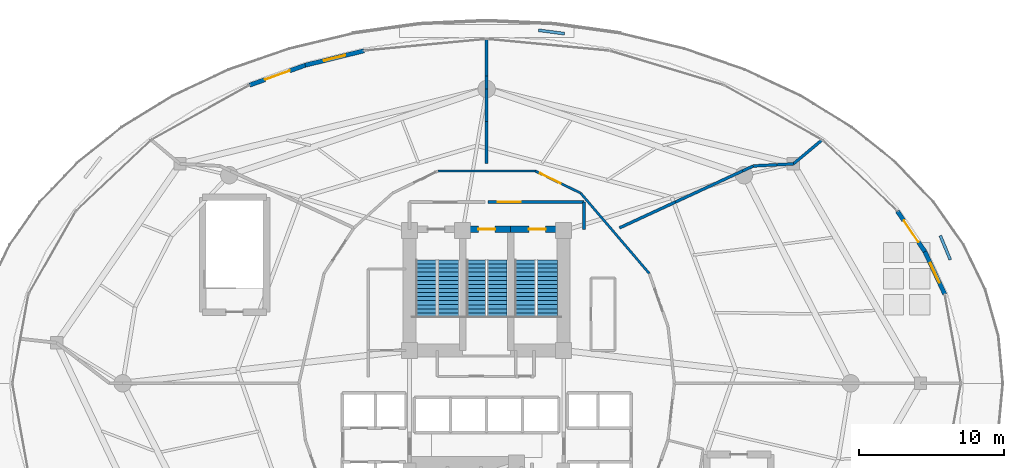
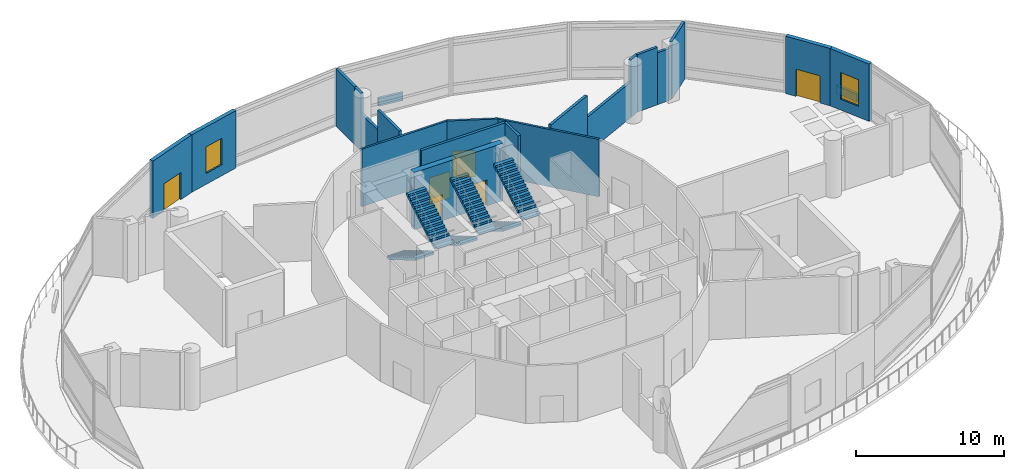
# One storey, part 29 of 34: 23 walls, 6 doors, 6 stair flights, 2 windows, 8 openings, 3 elements without a shape of their own.
"""IFC4 building model written with IfcOpenShell, lengths in metres."""

from ifc_helpers import new_model, si_unit, direction, frame, frame_2d, origin, place, context, subcontext, project, spatial, polyline, rectangle, outline, extrude, material, layer, layer_set, type_object, element, fill, aggregate, save


model = new_model("IFC4")

# Units and contexts
model_context = context("Model", 3, precision=1e-05, world=origin(), true_north=direction((0.0, 1.0)))
body_context = subcontext(model_context, "Body", "Model", "MODEL_VIEW")
ifc_project = project(units=[si_unit("LENGTHUNIT", "METRE"), si_unit("AREAUNIT", "SQUARE_METRE"), si_unit("VOLUMEUNIT", "CUBIC_METRE"), si_unit("PLANEANGLEUNIT", "RADIAN"), si_unit("MASSUNIT", "GRAM", prefix="KILO")], contexts=[model_context])

# Site, building, storey
site_placement = place(None, origin())
site = spatial("IfcSite", under=ifc_project, at=site_placement, CompositionType="ELEMENT")
building_placement = place(site_placement, origin())
building = spatial("IfcBuilding", under=site, at=building_placement, Name="Nuhasar Tower", CompositionType="ELEMENT")
storey_placement = place(building_placement, frame((0.0, 0.0, 16.0)))
storey = spatial("IfcBuildingStorey", under=building, at=storey_placement, Name="L03", CompositionType="ELEMENT", Elevation=16.0)

# Wall, opening, window
ifc_material_1 = material(Name="Concrete C45/55", Category="concrete")
ifc_layer_1 = layer(ifc_material_1, 0.239990234375)
ifc_material_2 = material(Name="Limestone Ashlar", Category="masonry")
ifc_layer_2 = layer(ifc_material_2, 0.06005859375)
ifc_layer_set_1 = layer_set([ifc_layer_1, ifc_layer_2], Name="Concrete C45/55")
wall_type_1 = type_object("IfcWallType", Name="WL-ARC-300", PredefinedType="STANDARD", material=ifc_layer_set_1)
wall_1_placement = place(storey_placement, frame((69.155029296875, 35.865966796875, 0.0), z_axis=(0.0, 0.0, 1.0), x_axis=(0.423734962383, -0.905786222932, 0.0)))
wall_1 = element("IfcWall", 1, at=wall_1_placement, inside=storey, type_object=wall_type_1, Name="L03 Limestone Arcade Spandrel Pier 02-1", PredefinedType="STANDARD", context=body_context, shape_type="SweptSolid", body=[
    extrude(rectangle(XDim=3.240234375, YDim=0.300048828125, at=frame_2d((1.6201171875, 0.0))), origin(), (0.0, 0.0, 1.0), 4.739990234375),
])
opening_1_placement = place(wall_1_placement, frame((0.8701171875, 0.0, 0.89990234375)))
opening_1 = element("IfcOpeningElement", 2, at=opening_1_placement, cuts=wall_1, Name="Opening WX-02", PredefinedType="OPENING", context=body_context, shape_type="SweptSolid", body=[
    extrude(rectangle(XDim=1.5, YDim=2.199951171875, at=frame_2d((0.75, 1.10009765625))), frame((0.0, 0.16015625, 0.0), z_axis=(0.0, -1.0, 0.0), x_axis=(1.0, 0.0, 0.0)), (0.0, 0.0, 1.0), 0.320068359375),
])
ifc_material_3 = material(Name="Glass Double Low-E", Category="glass")
window_type = type_object("IfcWindowType", Name="WIN-ARC-1500", PartitioningType="DOUBLE_PANEL_VERTICAL", PredefinedType="WINDOW", material=ifc_material_3)
window_1_placement = place(opening_1_placement, origin())
window_1 = element("IfcWindow", 3, at=window_1_placement, inside=storey, type_object=window_type, Name="L03 Arcade Vision Window 02", OverallHeight=2.199951171875, OverallWidth=1.5, PartitioningType="DOUBLE_PANEL_VERTICAL", PredefinedType="WINDOW", context=body_context, shape_type="SweptSolid", body=[
    extrude(rectangle(XDim=1.5, YDim=2.199951171875, at=frame_2d((0.75, 1.10009765625))), frame((0.0, 0.030029296875, 0.0), z_axis=(0.0, -1.0, 0.0), x_axis=(1.0, 0.0, 0.0)), (0.0, 0.0, 1.0), 0.06005859375),
])
fill(opening_1, window_1)

# Wall, opening, door
wall_2_placement = place(storey_placement, frame((67.26708984375, 38.64501953125, 0.0), z_axis=(0.0, 0.0, 1.0), x_axis=(0.56194026568, -0.827177815108, 0.0)))
wall_2 = element("IfcWall", 4, at=wall_2_placement, inside=storey, type_object=wall_type_1, Name="L03 Limestone Arcade Spandrel Pier 02-2", PredefinedType="STANDARD", context=body_context, shape_type="SweptSolid", body=[
    extrude(rectangle(XDim=3.359619140625, YDim=0.300048828125, at=frame_2d((1.6796875, 0.0))), origin(), (0.0, 0.0, 1.0), 4.739990234375),
])
opening_2_placement = place(wall_2_placement, frame((0.780029296875, 0.0, 0.0)))
opening_2 = element("IfcOpeningElement", 5, at=opening_2_placement, cuts=wall_2, Name="Opening DX-02", PredefinedType="OPENING", context=body_context, shape_type="SweptSolid", body=[
    extrude(rectangle(XDim=1.800048828125, YDim=2.25, at=frame_2d((0.89990234375, 1.125))), frame((0.0, 0.16015625, 0.0), z_axis=(0.0, -1.0, 0.0), x_axis=(1.0, 0.0, 0.0)), (0.0, 0.0, 1.0), 0.320068359375),
])
ifc_material_4 = material(Name="Aluminium 6063-T6", Category="aluminium")
door_type_1 = type_object("IfcDoorType", Name="DR-TERR-1800", OperationType="DOUBLE_DOOR_SINGLE_SWING", PredefinedType="DOOR", material=ifc_material_4)
door_1_placement = place(opening_2_placement, origin())
door_1 = element("IfcDoor", 6, at=door_1_placement, inside=storey, type_object=door_type_1, Name="L03 Bustan Terrace Door 02", OperationType="DOUBLE_DOOR_SINGLE_SWING", OverallHeight=2.25, OverallWidth=1.800048828125, PredefinedType="DOOR", context=body_context, shape_type="SweptSolid", body=[
    extrude(rectangle(XDim=1.800048828125, YDim=2.25, at=frame_2d((0.89990234375, 1.125))), frame((0.0, 0.02490234375, 0.0), z_axis=(0.0, -1.0, 0.0), x_axis=(1.0, 0.0, 0.0)), (0.0, 0.0, 1.0), 0.050048828125),
])
fill(opening_2, door_1)

# Wall, opening, window
wall_3_placement = place(storey_placement, frame((26.509033203125, 48.68701171875, 0.0), z_axis=(0.0, 0.0, 1.0), x_axis=(0.970964611728, 0.239223165208, 0.0)))
wall_3 = element("IfcWall", 7, at=wall_3_placement, inside=storey, type_object=wall_type_1, Name="L03 Limestone Arcade Spandrel Pier 08-1", PredefinedType="STANDARD", context=body_context, shape_type="SweptSolid", body=[
    extrude(rectangle(XDim=4.163818359375, YDim=0.300048828125, at=frame_2d((2.08203125, 0.0))), origin(), (0.0, 0.0, 1.0), 4.739990234375),
])
opening_3_placement = place(wall_3_placement, frame((1.33203125, 0.0, 0.89990234375)))
opening_3 = element("IfcOpeningElement", 8, at=opening_3_placement, cuts=wall_3, Name="Opening WX-02", PredefinedType="OPENING", context=body_context, shape_type="SweptSolid", body=[
    extrude(rectangle(XDim=1.5, YDim=2.199951171875, at=frame_2d((0.75, 1.10009765625))), frame((0.0, 0.16015625, 0.0), z_axis=(0.0, -1.0, 0.0), x_axis=(1.0, 0.0, 0.0)), (0.0, 0.0, 1.0), 0.320068359375),
])
window_2_placement = place(opening_3_placement, origin())
window_2 = element("IfcWindow", 9, at=window_2_placement, inside=storey, type_object=window_type, Name="L03 Arcade Vision Window 08", OverallHeight=2.199951171875, OverallWidth=1.5, PartitioningType="DOUBLE_PANEL_VERTICAL", PredefinedType="WINDOW", context=body_context, shape_type="SweptSolid", body=[
    extrude(rectangle(XDim=1.5, YDim=2.199951171875, at=frame_2d((0.75, 1.10009765625))), frame((0.0, 0.030029296875, 0.0), z_axis=(0.0, -1.0, 0.0), x_axis=(1.0, 0.0, 0.0)), (0.0, 0.0, 1.0), 0.06005859375),
])
fill(opening_3, window_2)

# Wall, opening, door
wall_4_placement = place(storey_placement, frame((22.679931640625, 47.31591796875, 0.0), z_axis=(0.0, 0.0, 1.0), x_axis=(0.941464544091, 0.337112017318, 0.0)))
wall_4 = element("IfcWall", 10, at=wall_4_placement, inside=storey, type_object=wall_type_1, Name="L03 Limestone Arcade Spandrel Pier 08-2", PredefinedType="STANDARD", context=body_context, shape_type="SweptSolid", body=[
    extrude(rectangle(XDim=4.067138671875, YDim=0.300048828125, at=frame_2d((2.03369140625, 0.0))), origin(), (0.0, 0.0, 1.0), 4.739990234375),
])
opening_4_placement = place(wall_4_placement, frame((1.134033203125, 0.0, 0.0)))
opening_4 = element("IfcOpeningElement", 11, at=opening_4_placement, cuts=wall_4, Name="Opening DX-02", PredefinedType="OPENING", context=body_context, shape_type="SweptSolid", body=[
    extrude(rectangle(XDim=1.800048828125, YDim=2.25, at=frame_2d((0.89990234375, 1.125))), frame((0.0, 0.16015625, 0.0), z_axis=(0.0, -1.0, 0.0), x_axis=(1.0, 0.0, 0.0)), (0.0, 0.0, 1.0), 0.320068359375),
])
door_2_placement = place(opening_4_placement, origin())
door_2 = element("IfcDoor", 12, at=door_2_placement, inside=storey, type_object=door_type_1, Name="L03 Bustan Terrace Door 08", OperationType="DOUBLE_DOOR_SINGLE_SWING", OverallHeight=2.25, OverallWidth=1.800048828125, PredefinedType="DOOR", context=body_context, shape_type="SweptSolid", body=[
    extrude(rectangle(XDim=1.800048828125, YDim=2.25, at=frame_2d((0.89990234375, 1.125))), frame((0.0, 0.02490234375, 0.0), z_axis=(0.0, -1.0, 0.0), x_axis=(1.0, 0.0, 0.0)), (0.0, 0.0, 1.0), 0.050048828125),
])
fill(opening_4, door_2)

ifc_material_5 = material(Name="Concrete C50/60", Category="concrete")
ifc_layer_3 = layer(ifc_material_5, 0.449951171875)
ifc_layer_set_2 = layer_set([ifc_layer_3], Name="Concrete C50/60")
wall_type_2 = type_object("IfcWallType", Name="WL-CORE-450", PredefinedType="SHEAR", material=ifc_layer_set_2)
wall_5_placement = place(storey_placement, frame((40.64990234375, 37.39990234375, 0.0), z_axis=(0.0, 0.0, 1.0), x_axis=(-1.0, 0.0, 0.0)))
wall_5 = element("IfcWall", 13, at=wall_5_placement, inside=storey, type_object=wall_type_2, Name="L03 Stairwell Shear Wall ST03-N", PredefinedType="SHEAR", context=body_context, shape_type="SweptSolid", body=[
    extrude(rectangle(XDim=3.2998046875, YDim=0.449951171875, at=frame_2d((1.64990234375, 0.0))), origin(), (0.0, 0.0, 1.0), 4.739990234375),
])
opening_5_placement = place(wall_5_placement, frame((1.074951171875, 0.0, 0.0)))
opening_5 = element("IfcOpeningElement", 14, at=opening_5_placement, cuts=wall_5, Name="Opening DS-01", PredefinedType="OPENING", context=body_context, shape_type="SweptSolid", body=[
    extrude(rectangle(XDim=1.14990234375, YDim=2.14990234375, at=frame_2d((0.574951171875, 1.074951171875))), frame((0.0, 0.23486328125, 0.0), z_axis=(0.0, -1.0, 0.0), x_axis=(1.0, 0.0, 0.0)), (0.0, 0.0, 1.0), 0.469970703125),
])
ifc_material_6 = material(Name="Steel S355", Category="steel")
door_type_2 = type_object("IfcDoorType", Name="DR-STAIR-FD120-1150", OperationType="NOTDEFINED", PredefinedType="DOOR", material=ifc_material_6)
door_3_placement = place(opening_5_placement, origin())
door_3 = element("IfcDoor", 15, at=door_3_placement, inside=storey, type_object=door_type_2, Name="L03 Exit Stair ST-03 Door", OperationType="SINGLE_SWING_RIGHT", OverallHeight=2.14990234375, OverallWidth=1.14990234375, PredefinedType="DOOR", context=body_context, shape_type="SweptSolid", body=[
    extrude(rectangle(XDim=1.14990234375, YDim=2.14990234375, at=frame_2d((0.574951171875, 1.074951171875))), frame((0.0, 0.02490234375, 0.0), z_axis=(0.0, -1.0, 0.0), x_axis=(1.0, 0.0, 0.0)), (0.0, 0.0, 1.0), 0.050048828125),
])
fill(opening_5, door_3)

wall_6_placement = place(storey_placement, frame((44.300048828125, 37.39990234375, 0.0), z_axis=(0.0, 0.0, 1.0), x_axis=(-1.0, 0.0, 0.0)))
wall_6 = element("IfcWall", 16, at=wall_6_placement, inside=storey, type_object=wall_type_2, Name="L03 Stairwell Shear Wall ST02-N", PredefinedType="SHEAR", context=body_context, shape_type="SweptSolid", body=[
    extrude(rectangle(XDim=3.650146484375, YDim=0.449951171875, at=frame_2d((1.8251953125, 0.0))), origin(), (0.0, 0.0, 1.0), 4.739990234375),
])
opening_6_placement = place(wall_6_placement, frame((1.25, 0.0, 0.0)))
opening_6 = element("IfcOpeningElement", 17, at=opening_6_placement, cuts=wall_6, Name="Opening DS-01", PredefinedType="OPENING", context=body_context, shape_type="SweptSolid", body=[
    extrude(rectangle(XDim=1.14990234375, YDim=2.14990234375, at=frame_2d((0.574951171875, 1.074951171875))), frame((0.0, 0.23486328125, 0.0), z_axis=(0.0, -1.0, 0.0), x_axis=(1.0, 0.0, 0.0)), (0.0, 0.0, 1.0), 0.469970703125),
])
door_4_placement = place(opening_6_placement, origin())
door_4 = element("IfcDoor", 18, at=door_4_placement, inside=storey, type_object=door_type_2, Name="L03 Exit Stair ST-02 Door", OperationType="SINGLE_SWING_LEFT", OverallHeight=2.14990234375, OverallWidth=1.14990234375, PredefinedType="DOOR", context=body_context, shape_type="SweptSolid", body=[
    extrude(rectangle(XDim=1.14990234375, YDim=2.14990234375, at=frame_2d((0.574951171875, 1.074951171875))), frame((0.0, 0.02490234375, 0.0), z_axis=(0.0, -1.0, 0.0), x_axis=(1.0, 0.0, 0.0)), (0.0, 0.0, 1.0), 0.050048828125),
])
fill(opening_6, door_4)

# Wall
ifc_material_7 = material(Name="Gypsum Board", Category="gypsum")
ifc_layer_4 = layer(ifc_material_7, 0.159912109375)
ifc_layer_set_3 = layer_set([ifc_layer_4], Name="Gypsum Board")
wall_type_3 = type_object("IfcWallType", Name="WL-CORR-160", PredefinedType="PARTITIONING", material=ifc_layer_set_3)
wall_7_placement = place(storey_placement, frame((50.18896484375, 34.360107421875, 0.0), z_axis=(0.0, 0.0, 1.0), x_axis=(-0.649652680018, 0.760231145998, 0.0)))
element("IfcWall", 19, at=wall_7_placement, inside=storey, type_object=wall_type_3, Name="L03 Interior Partition CORR-04", PredefinedType="PARTITIONING", context=body_context, shape_type="SweptSolid", body=[
    extrude(rectangle(XDim=7.279296875, YDim=0.159912109375, at=frame_2d((3.6396484375, 0.0))), origin(), (0.0, 0.0, 1.0), 4.739990234375),
])

# Wall, opening, door
wall_8_placement = place(storey_placement, frame((42.343994140625, 41.405029296875, 0.0), z_axis=(0.0, 0.0, 1.0), x_axis=(0.899789784655, -0.436323668199, 0.0)))
wall_8 = element("IfcWall", 20, at=wall_8_placement, inside=storey, type_object=wall_type_3, Name="L03 Interior Partition CORR-08", PredefinedType="PARTITIONING", context=body_context, shape_type="SweptSolid", body=[
    extrude(rectangle(XDim=3.462890625, YDim=0.159912109375, at=frame_2d((1.7314453125, 0.0))), origin(), (0.0, 0.0, 1.0), 4.739990234375),
])
opening_7_placement = place(wall_8_placement, frame((0.35107421875, 0.0, 0.0)))
opening_7 = element("IfcOpeningElement", 21, at=opening_7_placement, cuts=wall_8, Name="Opening DC-01", PredefinedType="OPENING", context=body_context, shape_type="SweptSolid", body=[
    extrude(rectangle(XDim=1.60009765625, YDim=2.199951171875, at=frame_2d((0.800048828125, 1.10009765625))), frame((0.0, 0.08984375, 0.0), z_axis=(0.0, -1.0, 0.0), x_axis=(1.0, 0.0, 0.0)), (0.0, 0.0, 1.0), 0.179931640625),
])
door_type_3 = type_object("IfcDoorType", Name="DR-CORR-FD60-1600", OperationType="DOUBLE_DOOR_SINGLE_SWING", PredefinedType="DOOR", material=ifc_material_6)
door_5_placement = place(opening_7_placement, origin())
door_5 = element("IfcDoor", 22, at=door_5_placement, inside=storey, type_object=door_type_3, Name="L03 Thermal Hammam Suite Door", OperationType="DOUBLE_DOOR_SINGLE_SWING", OverallHeight=2.199951171875, OverallWidth=1.60009765625, PredefinedType="DOOR", context=body_context, shape_type="SweptSolid", body=[
    extrude(rectangle(XDim=1.60009765625, YDim=2.199951171875, at=frame_2d((0.800048828125, 1.10009765625))), frame((0.0, 0.02490234375, 0.0), z_axis=(0.0, -1.0, 0.0), x_axis=(1.0, 0.0, 0.0)), (0.0, 0.0, 1.0), 0.050048828125),
])
fill(opening_7, door_5)

# Walls
wall_9_placement = place(storey_placement, frame((42.343994140625, 41.405029296875, 0.0), z_axis=(0.0, 0.0, 1.0), x_axis=(-1.0, 0.0, 0.0)))
element("IfcWall", 23, at=wall_9_placement, inside=storey, type_object=wall_type_3, Name="L03 Interior Partition CORR-10", PredefinedType="PARTITIONING", context=body_context, shape_type="SweptSolid", body=[
    extrude(rectangle(XDim=6.68798828125, YDim=0.159912109375, at=frame_2d((3.343994140625, 0.0))), origin(), (0.0, 0.0, 1.0), 4.739990234375),
])
ifc_layer_5 = layer(ifc_material_1, 0.199951171875)
ifc_layer_set_4 = layer_set([ifc_layer_5], Name="Concrete C45/55")
wall_type_4 = type_object("IfcWallType", Name="WL-LOBBY-200", PredefinedType="SOLIDWALL", material=ifc_layer_set_4)
wall_10_placement = place(storey_placement, frame((45.699951171875, 37.39990234375, 0.0), z_axis=(0.0, 0.0, 1.0), x_axis=(0.0, 1.0, 0.0)))
element("IfcWall", 24, at=wall_10_placement, inside=storey, type_object=wall_type_4, Name="L03 Interior Partition NSL-E", PredefinedType="SOLIDWALL", context=body_context, shape_type="SweptSolid", body=[
    extrude(rectangle(XDim=1.880126953125, YDim=0.199951171875, at=frame_2d((0.93994140625, 0.0))), origin(), (0.0, 0.0, 1.0), 4.739990234375),
])

# Wall, opening, door
wall_11_placement = place(storey_placement, frame((45.699951171875, 39.280029296875, 0.0), z_axis=(0.0, 0.0, 1.0), x_axis=(-1.0, 0.0, 0.0)))
wall_11 = element("IfcWall", 25, at=wall_11_placement, inside=storey, type_object=wall_type_4, Name="L03 Interior Partition NSL-N2", PredefinedType="SOLIDWALL", context=body_context, shape_type="SweptSolid", body=[
    extrude(rectangle(XDim=6.599853515625, YDim=0.199951171875, at=frame_2d((3.2998046875, 0.0))), origin(), (0.0, 0.0, 1.0), 4.739990234375),
])
opening_8_placement = place(wall_11_placement, frame((4.35009765625, 0.0, 0.0)))
opening_8 = element("IfcOpeningElement", 26, at=opening_8_placement, cuts=wall_11, Name="Opening DC-01", PredefinedType="OPENING", context=body_context, shape_type="SweptSolid", body=[
    extrude(rectangle(XDim=1.60009765625, YDim=2.199951171875, at=frame_2d((0.800048828125, 1.10009765625))), frame((0.0, 0.10986328125, 0.0), z_axis=(0.0, -1.0, 0.0), x_axis=(1.0, 0.0, 0.0)), (0.0, 0.0, 1.0), 0.219970703125),
])
door_6_placement = place(opening_8_placement, origin())
door_6 = element("IfcDoor", 27, at=door_6_placement, inside=storey, type_object=door_type_3, Name="L03 North Stair Lobby East Door", OperationType="DOUBLE_DOOR_SINGLE_SWING", OverallHeight=2.199951171875, OverallWidth=1.60009765625, PredefinedType="DOOR", context=body_context, shape_type="SweptSolid", body=[
    extrude(rectangle(XDim=1.60009765625, YDim=2.199951171875, at=frame_2d((0.800048828125, 1.10009765625))), frame((0.0, 0.02490234375, 0.0), z_axis=(0.0, -1.0, 0.0), x_axis=(1.0, 0.0, 0.0)), (0.0, 0.0, 1.0), 0.050048828125),
])
fill(opening_8, door_6)

# Walls
ifc_layer_6 = layer(ifc_material_1, 0.199951171875)
ifc_layer_set_5 = layer_set([ifc_layer_6], Name="Concrete C45/55")
wall_type_5 = type_object("IfcWallType", Name="WL-PLANTER-200", PredefinedType="ELEMENTEDWALL", material=ifc_layer_set_5)
wall_12_placement = place(storey_placement, frame((70.215087890625, 36.962890625, 0.0), z_axis=(0.0, 0.0, 1.0), x_axis=(0.382775058439, -0.923841574425, 0.0)))
element("IfcWall", 28, at=wall_12_placement, inside=storey, type_object=wall_type_5, Name="L03 Bustan Garden Planter Curb 01", PredefinedType="ELEMENTEDWALL", context=body_context, shape_type="SweptSolid", body=[
    extrude(rectangle(XDim=1.7998046875, YDim=0.199951171875, at=frame_2d((0.89990234375, 0.0))), origin(), (0.0, 0.0, 1.0), 0.64990234375),
])
wall_13_placement = place(storey_placement, frame((42.56591796875, 51.093994140625, 0.0), z_axis=(0.0, 0.0, 1.0), x_axis=(0.991438597149, -0.130573764914, 0.0)))
element("IfcWall", 29, at=wall_13_placement, inside=storey, type_object=wall_type_5, Name="L03 Bustan Garden Planter Curb 02", PredefinedType="ELEMENTEDWALL", context=body_context, shape_type="SweptSolid", body=[
    extrude(rectangle(XDim=1.800537109375, YDim=0.199951171875, at=frame_2d((0.900390625, 0.0))), origin(), (0.0, 0.0, 1.0), 0.64990234375),
])
ifc_material_8 = material(Name="Concrete C40/50 precast", Category="concrete")
ifc_layer_7 = layer(ifc_material_8, 0.199951171875)
ifc_layer_set_6 = layer_set([ifc_layer_7], Name="Concrete C40/50 precast")
wall_type_6 = type_object("IfcWallType", Name="WL-UNIT-200", PredefinedType="PARTITIONING", material=ifc_layer_set_6)
wall_14_placement = place(storey_placement, frame((48.135986328125, 37.490966796875, 0.0), z_axis=(0.0, 0.0, 1.0), x_axis=(0.907543218971, 0.419958695231, 0.0)))
element("IfcWall", 30, at=wall_14_placement, inside=storey, type_object=wall_type_6, Name="L03 Interior Partition PRAD-06-S1", PredefinedType="PARTITIONING", context=body_context, shape_type="SweptSolid", body=[
    extrude(rectangle(XDim=4.24560546875, YDim=0.199951171875, at=frame_2d((2.122802734375, 0.0))), origin(), (0.0, 0.0, 1.0), 4.739990234375),
])
wall_15_placement = place(storey_placement, frame((51.989013671875, 39.27392578125, 0.0), z_axis=(0.0, 0.0, 1.0), x_axis=(0.907468259345, 0.420120647293, 0.0)))
element("IfcWall", 31, at=wall_15_placement, inside=storey, type_object=wall_type_6, Name="L03 Interior Partition PRAD-06-S1", PredefinedType="PARTITIONING", context=body_context, shape_type="SweptSolid", body=[
    extrude(rectangle(XDim=5.0986328125, YDim=0.199951171875, at=frame_2d((2.54931640625, 0.0))), origin(), (0.0, 0.0, 1.0), 2.93994140625),
])
wall_16_placement = place(storey_placement, frame((56.615966796875, 41.416015625, 0.0), z_axis=(0.0, 0.0, 1.0), x_axis=(0.907729224474, 0.419556498025, 0.0)))
element("IfcWall", 32, at=wall_16_placement, inside=storey, type_object=wall_type_6, Name="L03 Interior Partition PRAD-06-S1", PredefinedType="PARTITIONING", context=body_context, shape_type="SweptSolid", body=[
    extrude(rectangle(XDim=0.8076171875, YDim=0.199951171875, at=frame_2d((0.40380859375, 0.0))), origin(), (0.0, 0.0, 1.0), 4.739990234375),
])
wall_17_placement = place(storey_placement, frame((57.34912109375, 41.7548828125, 0.0), z_axis=(0.0, 0.0, 1.0), x_axis=(0.998685128887, 0.051264152576, 0.0)))
element("IfcWall", 33, at=wall_17_placement, inside=storey, type_object=wall_type_6, Name="L03 Interior Partition PRAD-06-S2", PredefinedType="PARTITIONING", context=body_context, shape_type="SweptSolid", body=[
    extrude(rectangle(XDim=1.64306640625, YDim=0.199951171875, at=frame_2d((0.821533203125, 0.0))), origin(), (0.0, 0.0, 1.0), 4.739990234375),
])
wall_18_placement = place(storey_placement, frame((58.989990234375, 41.839111328125, 0.0), z_axis=(0.0, 0.0, 1.0), x_axis=(0.998660904733, 0.051733909163, 0.0)))
element("IfcWall", 34, at=wall_18_placement, inside=storey, type_object=wall_type_6, Name="L03 Interior Partition PRAD-06-S2", PredefinedType="PARTITIONING", context=body_context, shape_type="SweptSolid", body=[
    extrude(rectangle(XDim=1.118408203125, YDim=0.199951171875, at=frame_2d((0.55908203125, 0.0))), origin(), (0.0, 0.0, 1.0), 4.280029296875),
])
wall_19_placement = place(storey_placement, frame((60.10693359375, 41.89697265625, 0.0), z_axis=(0.0, 0.0, 1.0), x_axis=(0.766903980595, 0.641761859686, 0.0)))
element("IfcWall", 35, at=wall_19_placement, inside=storey, type_object=wall_type_6, Name="L03 Interior Partition PRAD-06-S3", PredefinedType="PARTITIONING", context=body_context, shape_type="SweptSolid", body=[
    extrude(rectangle(XDim=2.5400390625, YDim=0.199951171875, at=frame_2d((1.27001953125, 0.0))), origin(), (0.0, 0.0, 1.0), 4.739990234375),
])
wall_20_placement = place(storey_placement, frame((39.0, 41.919921875, 0.0), z_axis=(0.0, 0.0, 1.0), x_axis=(0.0, 1.0, 0.0)))
element("IfcWall", 36, at=wall_20_placement, inside=storey, type_object=wall_type_6, Name="L03 Interior Partition PRAD-12-S1", PredefinedType="PARTITIONING", context=body_context, shape_type="SweptSolid", body=[
    extrude(rectangle(XDim=2.89111328125, YDim=0.199951171875, at=frame_2d((1.445556640625, 0.0))), origin(), (0.0, 0.0, 1.0), 4.739990234375),
])
wall_21_placement = place(storey_placement, frame((39.0, 44.81103515625, 0.0), z_axis=(0.0, 0.0, 1.0), x_axis=(0.0, 1.0, 0.0)))
element("IfcWall", 37, at=wall_21_placement, inside=storey, type_object=wall_type_6, Name="L03 Interior Partition PRAD-12-S1", PredefinedType="PARTITIONING", context=body_context, shape_type="SweptSolid", body=[
    extrude(rectangle(XDim=2.255859375, YDim=0.199951171875, at=frame_2d((1.1279296875, 0.0))), origin(), (0.0, 0.0, 1.0), 3.090087890625),
])
wall_22_placement = place(storey_placement, frame((39.0, 47.06689453125, 0.0), z_axis=(0.0, 0.0, 1.0), x_axis=(0.0, 1.0, 0.0)))
element("IfcWall", 38, at=wall_22_placement, inside=storey, type_object=wall_type_6, Name="L03 Interior Partition PRAD-12-S1", PredefinedType="PARTITIONING", context=body_context, shape_type="SweptSolid", body=[
    extrude(rectangle(XDim=0.883056640625, YDim=0.199951171875, at=frame_2d((0.44140625, 0.0))), origin(), (0.0, 0.0, 1.0), 4.739990234375),
])
wall_23_placement = place(storey_placement, frame((39.0, 47.949951171875, 0.0), z_axis=(0.0, 0.0, 1.0), x_axis=(0.0, 1.0, 0.0)))
element("IfcWall", 39, at=wall_23_placement, inside=storey, type_object=wall_type_6, Name="L03 Interior Partition PRAD-12-S2", PredefinedType="PARTITIONING", context=body_context, shape_type="SweptSolid", body=[
    extrude(rectangle(XDim=2.505126953125, YDim=0.199951171875, at=frame_2d((1.25244140625, 0.0))), origin(), (0.0, 0.0, 1.0), 4.739990234375),
])

# Stair, stair flights
stair_type_1 = type_object("IfcStairType", Name="STR-ST-01-2F-30R-1667", PredefinedType="HALF_TURN_STAIR", material=ifc_material_1)
stair_1_placement = place(storey_placement, origin())
stair_1 = element("IfcStair", 40, at=stair_1_placement, inside=storey, type_object=stair_type_1, Name="L03 Exit Stair ST-01", PredefinedType="HALF_TURN_STAIR")
stair_flight_type_1 = type_object("IfcStairFlightType", Name="SFL-ST-01-15R-1667", PredefinedType="STRAIGHT", material=ifc_material_1)
stair_flight_1_placement = place(storey_placement, frame((34.830078125, 35.284912109375, 0.0), z_axis=(0.0, 0.0, 1.0), x_axis=(0.0, -1.0, 0.0)))
stair_flight_1 = element("IfcStairFlight", 41, at=stair_flight_1_placement, type_object=stair_flight_type_1, Name="ST-01 flight 1", NumberOfRisers=15, NumberOfTreads=14, PredefinedType="STRAIGHT", RiserHeight=0.166667, TreadLength=0.28, context=body_context, shape_type="SweptSolid", body=[
    extrude(outline(polyline([(0.0, 0.0), (0.0, 0.166748046875), (0.280029296875, 0.166748046875), (0.280029296875, 0.333251953125), (0.56005859375, 0.333251953125), (0.56005859375, 0.5), (0.840087890625, 0.5), (0.840087890625, 0.666748046875), (1.1201171875, 0.666748046875), (1.1201171875, 0.833251953125), (1.39990234375, 0.833251953125), (1.39990234375, 1.0), (1.679931640625, 1.0), (1.679931640625, 1.166748046875), (1.9599609375, 1.166748046875), (1.9599609375, 1.333251953125), (2.239990234375, 1.333251953125), (2.239990234375, 1.5), (2.52001953125, 1.5), (2.52001953125, 1.666748046875), (2.800048828125, 1.666748046875), (2.800048828125, 1.833251953125), (3.080078125, 1.833251953125), (3.080078125, 2.0), (3.360107421875, 2.0), (3.360107421875, 2.166748046875), (3.639892578125, 2.166748046875), (3.639892578125, 2.333251953125), (3.919921875, 2.333251953125), (3.919921875, 2.5), (3.919921875, 2.147216796875), (0.312744140625, 0.0), (0.0, 0.0)])), frame((0.0, 0.7099609375, 0.0), z_axis=(0.0, -1.0, 0.0), x_axis=(1.0, 0.0, 0.0)), (0.0, 0.0, 1.0), 1.419921875),
])
stair_flight_2_placement = place(storey_placement, frame((36.35009765625, 31.364990234375, 2.5), z_axis=(0.0, 0.0, 1.0), x_axis=(0.0, 1.0, 0.0)))
stair_flight_2 = element("IfcStairFlight", 42, at=stair_flight_2_placement, type_object=stair_flight_type_1, Name="ST-01 flight 2", NumberOfRisers=15, NumberOfTreads=14, PredefinedType="STRAIGHT", RiserHeight=0.166667, TreadLength=0.28, context=body_context, shape_type="SweptSolid", body=[
    extrude(outline(polyline([(0.0, 0.0), (0.0, 0.166748046875), (0.280029296875, 0.166748046875), (0.280029296875, 0.333251953125), (0.56005859375, 0.333251953125), (0.56005859375, 0.5), (0.840087890625, 0.5), (0.840087890625, 0.666748046875), (1.1201171875, 0.666748046875), (1.1201171875, 0.833251953125), (1.39990234375, 0.833251953125), (1.39990234375, 1.0), (1.679931640625, 1.0), (1.679931640625, 1.166748046875), (1.9599609375, 1.166748046875), (1.9599609375, 1.333251953125), (2.239990234375, 1.333251953125), (2.239990234375, 1.5), (2.52001953125, 1.5), (2.52001953125, 1.666748046875), (2.800048828125, 1.666748046875), (2.800048828125, 1.833251953125), (3.080078125, 1.833251953125), (3.080078125, 2.0), (3.360107421875, 2.0), (3.360107421875, 2.166748046875), (3.639892578125, 2.166748046875), (3.639892578125, 2.333251953125), (3.919921875, 2.333251953125), (3.919921875, 2.5), (3.919921875, 2.147216796875), (0.312744140625, 0.0), (0.0, 0.0)])), frame((0.0, 0.7099609375, 0.0), z_axis=(0.0, -1.0, 0.0), x_axis=(1.0, 0.0, 0.0)), (0.0, 0.0, 1.0), 1.419921875),
])
aggregate(stair_1, [stair_flight_1, stair_flight_2])

stair_type_2 = type_object("IfcStairType", Name="STR-ST-02-2F-30R-1667", PredefinedType="HALF_TURN_STAIR", material=ifc_material_1)
stair_2_placement = place(storey_placement, origin())
stair_2 = element("IfcStair", 43, at=stair_2_placement, inside=storey, type_object=stair_type_2, Name="L03 Exit Stair ST-02", PredefinedType="HALF_TURN_STAIR")
stair_flight_type_2 = type_object("IfcStairFlightType", Name="SFL-ST-02-15R-1667", PredefinedType="STRAIGHT", material=ifc_material_1)
stair_flight_3_placement = place(storey_placement, frame((41.64990234375, 35.284912109375, 0.0), z_axis=(0.0, 0.0, 1.0), x_axis=(0.0, -1.0, 0.0)))
stair_flight_3 = element("IfcStairFlight", 44, at=stair_flight_3_placement, type_object=stair_flight_type_2, Name="ST-02 flight 1", NumberOfRisers=15, NumberOfTreads=14, PredefinedType="STRAIGHT", RiserHeight=0.166667, TreadLength=0.28, context=body_context, shape_type="SweptSolid", body=[
    extrude(outline(polyline([(0.0, 0.0), (0.0, 0.166748046875), (0.280029296875, 0.166748046875), (0.280029296875, 0.333251953125), (0.56005859375, 0.333251953125), (0.56005859375, 0.5), (0.840087890625, 0.5), (0.840087890625, 0.666748046875), (1.1201171875, 0.666748046875), (1.1201171875, 0.833251953125), (1.39990234375, 0.833251953125), (1.39990234375, 1.0), (1.679931640625, 1.0), (1.679931640625, 1.166748046875), (1.9599609375, 1.166748046875), (1.9599609375, 1.333251953125), (2.239990234375, 1.333251953125), (2.239990234375, 1.5), (2.52001953125, 1.5), (2.52001953125, 1.666748046875), (2.800048828125, 1.666748046875), (2.800048828125, 1.833251953125), (3.080078125, 1.833251953125), (3.080078125, 2.0), (3.360107421875, 2.0), (3.360107421875, 2.166748046875), (3.639892578125, 2.166748046875), (3.639892578125, 2.333251953125), (3.919921875, 2.333251953125), (3.919921875, 2.5), (3.919921875, 2.147216796875), (0.312744140625, 0.0), (0.0, 0.0)])), frame((0.0, 0.7099609375, 0.0), z_axis=(0.0, -1.0, 0.0), x_axis=(1.0, 0.0, 0.0)), (0.0, 0.0, 1.0), 1.419921875),
])
stair_flight_4_placement = place(storey_placement, frame((43.169921875, 31.364990234375, 2.5), z_axis=(0.0, 0.0, 1.0), x_axis=(0.0, 1.0, 0.0)))
stair_flight_4 = element("IfcStairFlight", 45, at=stair_flight_4_placement, type_object=stair_flight_type_2, Name="ST-02 flight 2", NumberOfRisers=15, NumberOfTreads=14, PredefinedType="STRAIGHT", RiserHeight=0.166667, TreadLength=0.28, context=body_context, shape_type="SweptSolid", body=[
    extrude(outline(polyline([(0.0, 0.0), (0.0, 0.166748046875), (0.280029296875, 0.166748046875), (0.280029296875, 0.333251953125), (0.56005859375, 0.333251953125), (0.56005859375, 0.5), (0.840087890625, 0.5), (0.840087890625, 0.666748046875), (1.1201171875, 0.666748046875), (1.1201171875, 0.833251953125), (1.39990234375, 0.833251953125), (1.39990234375, 1.0), (1.679931640625, 1.0), (1.679931640625, 1.166748046875), (1.9599609375, 1.166748046875), (1.9599609375, 1.333251953125), (2.239990234375, 1.333251953125), (2.239990234375, 1.5), (2.52001953125, 1.5), (2.52001953125, 1.666748046875), (2.800048828125, 1.666748046875), (2.800048828125, 1.833251953125), (3.080078125, 1.833251953125), (3.080078125, 2.0), (3.360107421875, 2.0), (3.360107421875, 2.166748046875), (3.639892578125, 2.166748046875), (3.639892578125, 2.333251953125), (3.919921875, 2.333251953125), (3.919921875, 2.5), (3.919921875, 2.147216796875), (0.312744140625, 0.0), (0.0, 0.0)])), frame((0.0, 0.7099609375, 0.0), z_axis=(0.0, -1.0, 0.0), x_axis=(1.0, 0.0, 0.0)), (0.0, 0.0, 1.0), 1.419921875),
])
aggregate(stair_2, [stair_flight_3, stair_flight_4])

stair_type_3 = type_object("IfcStairType", Name="STR-ST-03-2F-30R-1667", PredefinedType="HALF_TURN_STAIR", material=ifc_material_1)
stair_3_placement = place(storey_placement, origin())
stair_3 = element("IfcStair", 46, at=stair_3_placement, inside=storey, type_object=stair_type_3, Name="L03 Exit Stair ST-03", PredefinedType="HALF_TURN_STAIR")
stair_flight_type_3 = type_object("IfcStairFlightType", Name="SFL-ST-03-15R-1667", PredefinedType="STRAIGHT", material=ifc_material_1)
stair_flight_5_placement = place(storey_placement, frame((38.280029296875, 35.284912109375, 0.0), z_axis=(0.0, 0.0, 1.0), x_axis=(0.0, -1.0, 0.0)))
stair_flight_5 = element("IfcStairFlight", 47, at=stair_flight_5_placement, type_object=stair_flight_type_3, Name="ST-03 flight 1", NumberOfRisers=15, NumberOfTreads=14, PredefinedType="STRAIGHT", RiserHeight=0.166667, TreadLength=0.28, context=body_context, shape_type="SweptSolid", body=[
    extrude(outline(polyline([(0.0, 0.0), (0.0, 0.166748046875), (0.280029296875, 0.166748046875), (0.280029296875, 0.333251953125), (0.56005859375, 0.333251953125), (0.56005859375, 0.5), (0.840087890625, 0.5), (0.840087890625, 0.666748046875), (1.1201171875, 0.666748046875), (1.1201171875, 0.833251953125), (1.39990234375, 0.833251953125), (1.39990234375, 1.0), (1.679931640625, 1.0), (1.679931640625, 1.166748046875), (1.9599609375, 1.166748046875), (1.9599609375, 1.333251953125), (2.239990234375, 1.333251953125), (2.239990234375, 1.5), (2.52001953125, 1.5), (2.52001953125, 1.666748046875), (2.800048828125, 1.666748046875), (2.800048828125, 1.833251953125), (3.080078125, 1.833251953125), (3.080078125, 2.0), (3.360107421875, 2.0), (3.360107421875, 2.166748046875), (3.639892578125, 2.166748046875), (3.639892578125, 2.333251953125), (3.919921875, 2.333251953125), (3.919921875, 2.5), (3.919921875, 2.147216796875), (0.312744140625, 0.0), (0.0, 0.0)])), frame((0.0, 0.669921875, 0.0), z_axis=(0.0, -1.0, 0.0), x_axis=(1.0, 0.0, 0.0)), (0.0, 0.0, 1.0), 1.340087890625),
])
stair_flight_6_placement = place(storey_placement, frame((39.719970703125, 31.364990234375, 2.5), z_axis=(0.0, 0.0, 1.0), x_axis=(0.0, 1.0, 0.0)))
stair_flight_6 = element("IfcStairFlight", 48, at=stair_flight_6_placement, type_object=stair_flight_type_3, Name="ST-03 flight 2", NumberOfRisers=15, NumberOfTreads=14, PredefinedType="STRAIGHT", RiserHeight=0.166667, TreadLength=0.28, context=body_context, shape_type="SweptSolid", body=[
    extrude(outline(polyline([(0.0, 0.0), (0.0, 0.166748046875), (0.280029296875, 0.166748046875), (0.280029296875, 0.333251953125), (0.56005859375, 0.333251953125), (0.56005859375, 0.5), (0.840087890625, 0.5), (0.840087890625, 0.666748046875), (1.1201171875, 0.666748046875), (1.1201171875, 0.833251953125), (1.39990234375, 0.833251953125), (1.39990234375, 1.0), (1.679931640625, 1.0), (1.679931640625, 1.166748046875), (1.9599609375, 1.166748046875), (1.9599609375, 1.333251953125), (2.239990234375, 1.333251953125), (2.239990234375, 1.5), (2.52001953125, 1.5), (2.52001953125, 1.666748046875), (2.800048828125, 1.666748046875), (2.800048828125, 1.833251953125), (3.080078125, 1.833251953125), (3.080078125, 2.0), (3.360107421875, 2.0), (3.360107421875, 2.166748046875), (3.639892578125, 2.166748046875), (3.639892578125, 2.333251953125), (3.919921875, 2.333251953125), (3.919921875, 2.5), (3.919921875, 2.147216796875), (0.312744140625, 0.0), (0.0, 0.0)])), frame((0.0, 0.669921875, 0.0), z_axis=(0.0, -1.0, 0.0), x_axis=(1.0, 0.0, 0.0)), (0.0, 0.0, 1.0), 1.340087890625),
])
aggregate(stair_3, [stair_flight_5, stair_flight_6])

save(model, "model.ifc")
